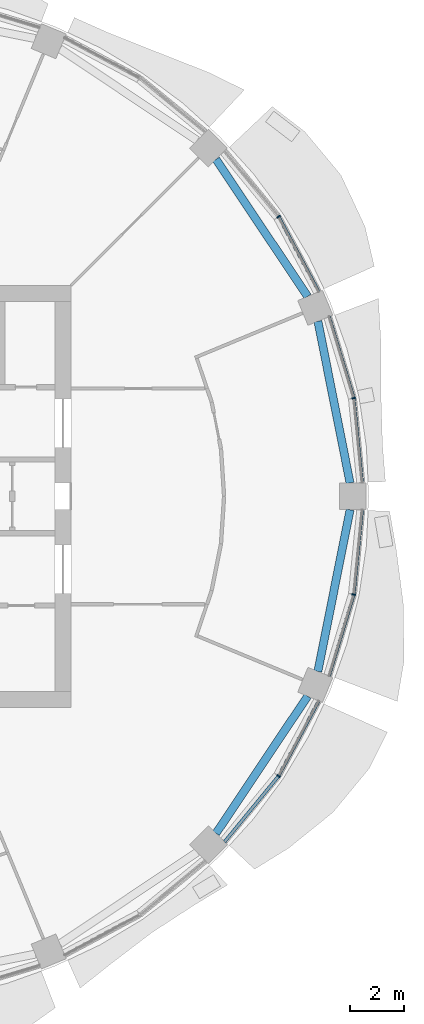
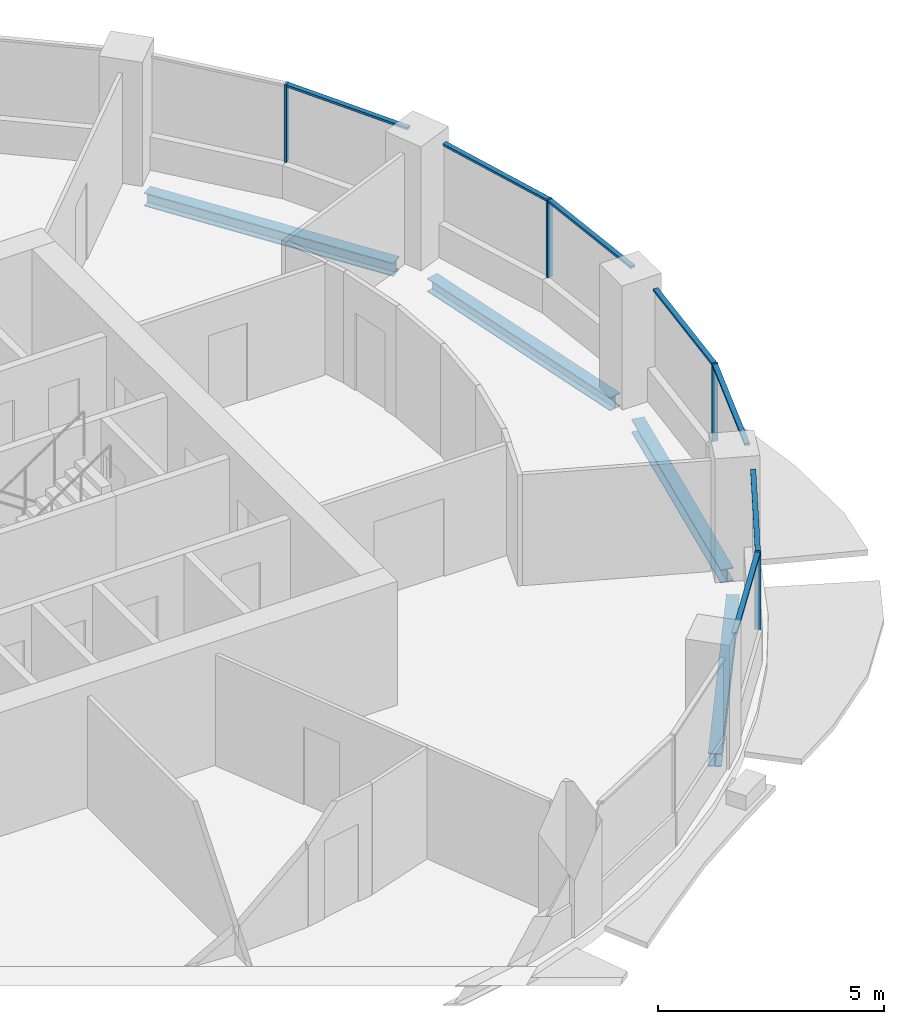
# One storey, part 5 of 15: 11 members, 4 beams, 4 elements without a shape of their own.
"""IFC4 building model written with IfcOpenShell, lengths in metres."""

from ifc_helpers import new_model, si_unit, direction, frame, origin, origin_2d, place, context, subcontext, project, spatial, rectangle, i_section, extrude, material, material_profile, profile_set, type_object, element, aggregate, save


model = new_model("IFC4")

# Units and contexts
model_context = context("Model", 3, precision=1e-05, world=origin(), true_north=direction((0.0, 1.0)))
body_context = subcontext(model_context, "Body", "Model", "MODEL_VIEW")
ifc_project = project(units=[si_unit("LENGTHUNIT", "METRE"), si_unit("AREAUNIT", "SQUARE_METRE"), si_unit("VOLUMEUNIT", "CUBIC_METRE"), si_unit("PLANEANGLEUNIT", "RADIAN"), si_unit("MASSUNIT", "GRAM", prefix="KILO")], contexts=[model_context])

# Site, building, storey
site_placement = place(None, origin())
site = spatial("IfcSite", under=ifc_project, at=site_placement, CompositionType="ELEMENT")
building_placement = place(site_placement, origin())
building = spatial("IfcBuilding", under=site, at=building_placement, Name="Polderwave Tower", CompositionType="ELEMENT")
storey_placement = place(building_placement, frame((0.0, 0.0, 137.699951171875)))
storey = spatial("IfcBuildingStorey", under=building, at=storey_placement, Name="L36", CompositionType="ELEMENT", Elevation=137.699951171875)

# Curtain wall, member
ifc_material_1 = material(Name="Aluminium 6063-T6 and glass", Category="aluminium")
curtain_wall_type = type_object("IfcCurtainWallType", Name="Office ribbon glazing wall", PredefinedType="NOTDEFINED", material=ifc_material_1)
curtain_wall_1_placement = place(storey_placement, origin())
curtain_wall_1 = element("IfcCurtainWall", 1, at=curtain_wall_1_placement, inside=storey, type_object=curtain_wall_type, Name="CW3 L36 00", PredefinedType="NOTDEFINED")
ifc_material_2 = material(Name="Aluminium 6063-T6", Category="aluminium")
ifc_material_profile_1 = material_profile(ifc_material_2, rectangle(XDim=0.139892578125, YDim=0.054931640625, at=origin_2d()), Name="AL 55x140")
ifc_profile_set_1 = profile_set([ifc_material_profile_1], Name="Aluminium 6063-T6")
member_type_1 = type_object("IfcMemberType", Name="Office ribbon glazing mullion 55x140", PredefinedType="MULLION", material=ifc_profile_set_1)
member_1_placement = place(storey_placement, frame((18.4189453125, 3.6640625, 0.900146484375), z_axis=(0.0, 0.0, 1.0), x_axis=(-0.980767570528, -0.195179334461, 0.0)))
member_1 = element("IfcMember", 2, at=member_1_placement, type_object=member_type_1, Name="CW3 mullion 1", PredefinedType="MULLION", context=body_context, shape_type="SweptSolid", body=[
    extrude(rectangle(XDim=0.139892578125, YDim=0.054931640625, at=origin_2d()), origin(), (0.0, 0.0, 1.0), 2.099853515625),
])

curtain_wall_2_placement = place(storey_placement, origin())
curtain_wall_2 = element("IfcCurtainWall", 3, at=curtain_wall_2_placement, inside=storey, type_object=curtain_wall_type, Name="CW3 L36 01", PredefinedType="NOTDEFINED")
member_2_placement = place(storey_placement, frame((15.614990234375, 10.43408203125, 0.900146484375), z_axis=(0.0, 0.0, 1.0), x_axis=(-0.831411428565, -0.555657301267, 0.0)))
member_2 = element("IfcMember", 4, at=member_2_placement, type_object=member_type_1, Name="CW3 mullion 1", PredefinedType="MULLION", context=body_context, shape_type="SweptSolid", body=[
    extrude(rectangle(XDim=0.139892578125, YDim=0.054931640625, at=origin_2d()), origin(), (0.0, 0.0, 1.0), 2.099853515625),
])

curtain_wall_3_placement = place(storey_placement, origin())
curtain_wall_3 = element("IfcCurtainWall", 5, at=curtain_wall_3_placement, inside=storey, type_object=curtain_wall_type, Name="CW3 L36 14", PredefinedType="NOTDEFINED")
member_3_placement = place(storey_placement, frame((15.614990234375, -10.43408203125, 0.900146484375), z_axis=(0.0, 0.0, 1.0), x_axis=(-0.831411428565, 0.555657301267, 0.0)))
member_3 = element("IfcMember", 6, at=member_3_placement, type_object=member_type_1, Name="CW3 mullion 1", PredefinedType="MULLION", context=body_context, shape_type="SweptSolid", body=[
    extrude(rectangle(XDim=0.139892578125, YDim=0.054931640625, at=origin_2d()), origin(), (0.0, 0.0, 1.0), 2.099853515625),
])

curtain_wall_4_placement = place(storey_placement, origin())
curtain_wall_4 = element("IfcCurtainWall", 7, at=curtain_wall_4_placement, inside=storey, type_object=curtain_wall_type, Name="CW3 L36 15", PredefinedType="NOTDEFINED")
member_4_placement = place(storey_placement, frame((18.4189453125, -3.6640625, 0.900146484375), z_axis=(0.0, 0.0, 1.0), x_axis=(-0.980767570528, 0.195179334461, 0.0)))
member_4 = element("IfcMember", 8, at=member_4_placement, type_object=member_type_1, Name="CW3 mullion 1", PredefinedType="MULLION", context=body_context, shape_type="SweptSolid", body=[
    extrude(rectangle(XDim=0.139892578125, YDim=0.054931640625, at=origin_2d()), origin(), (0.0, 0.0, 1.0), 2.099853515625),
])

# Member
ifc_material_profile_2 = material_profile(ifc_material_2, rectangle(XDim=0.1201171875, YDim=0.06005859375, at=origin_2d()), Name="AL 60x120")
ifc_profile_set_2 = profile_set([ifc_material_profile_2], Name="Aluminium 6063-T6")
member_type_2 = type_object("IfcMemberType", Name="Office ribbon glazing transom 60x120", PredefinedType="USERDEFINED", material=ifc_profile_set_2)
member_5_placement = place(storey_placement, frame((18.73095703125, 0.5, 2.969970703125), z_axis=(-0.09813853445, 0.995172762919, 0.0), x_axis=(-0.995172762919, -0.09813853445, 0.0)))
member_5 = element("IfcMember", 9, at=member_5_placement, type_object=member_type_2, Name="CW3 transom 1", ObjectType="TRANSOM", PredefinedType="USERDEFINED", context=body_context, shape_type="SweptSolid", body=[
    extrude(rectangle(XDim=0.1201171875, YDim=0.06005859375, at=origin_2d()), origin(), (0.0, 0.0, 1.0), 3.15185546875),
])

member_6_placement = place(storey_placement, frame((18.410888671875, 3.690185546875, 2.969970703125), z_axis=(-0.290267539602, 0.956945534215, 0.0), x_axis=(-0.956945534215, -0.290267539602, 0.0)))
member_6 = element("IfcMember", 10, at=member_6_placement, type_object=member_type_2, Name="CW3 transom 2", ObjectType="TRANSOM", PredefinedType="USERDEFINED", context=body_context, shape_type="SweptSolid", body=[
    extrude(rectangle(XDim=0.1201171875, YDim=0.06005859375, at=origin_2d()), origin(), (0.0, 0.0, 1.0), 3.151611328125),
])

aggregate(curtain_wall_1, [member_1, member_5, member_6])

member_7_placement = place(storey_placement, frame((17.114013671875, 7.6298828125, 2.969970703125), z_axis=(-0.471460363877, 0.88188725203, 0.0), x_axis=(-0.88188725203, -0.471460363877, 0.0)))
member_7 = element("IfcMember", 11, at=member_7_placement, type_object=member_type_2, Name="CW3 transom 1", ObjectType="TRANSOM", PredefinedType="USERDEFINED", context=body_context, shape_type="SweptSolid", body=[
    extrude(rectangle(XDim=0.1201171875, YDim=0.06005859375, at=origin_2d()), origin(), (0.0, 0.0, 1.0), 3.152099609375),
])

aggregate(curtain_wall_2, [member_2, member_7])

member_8_placement = place(storey_placement, frame((13.597900390625, -12.89111328125, 2.969970703125), z_axis=(0.634536204131, 0.772893139863, 0.0), x_axis=(-0.772893139863, 0.634536204131, 0.0)))
member_8 = element("IfcMember", 12, at=member_8_placement, type_object=member_type_2, Name="CW3 transom 1", ObjectType="TRANSOM", PredefinedType="USERDEFINED", context=body_context, shape_type="SweptSolid", body=[
    extrude(rectangle(XDim=0.1201171875, YDim=0.06005859375, at=origin_2d()), origin(), (0.0, 0.0, 1.0), 3.151611328125),
])

member_9_placement = place(storey_placement, frame((15.6279296875, -10.40966796875, 2.969970703125), z_axis=(0.471460363877, 0.88188725203, 0.0), x_axis=(-0.88188725203, 0.471460363877, 0.0)))
member_9 = element("IfcMember", 13, at=member_9_placement, type_object=member_type_2, Name="CW3 transom 2", ObjectType="TRANSOM", PredefinedType="USERDEFINED", context=body_context, shape_type="SweptSolid", body=[
    extrude(rectangle(XDim=0.1201171875, YDim=0.06005859375, at=origin_2d()), origin(), (0.0, 0.0, 1.0), 3.152099609375),
])

aggregate(curtain_wall_3, [member_3, member_8, member_9])

member_10_placement = place(storey_placement, frame((17.49609375, -6.7060546875, 2.969970703125), z_axis=(0.290267539602, 0.956945534215, 0.0), x_axis=(-0.956945534215, 0.290267539602, 0.0)))
member_10 = element("IfcMember", 14, at=member_10_placement, type_object=member_type_2, Name="CW3 transom 1", ObjectType="TRANSOM", PredefinedType="USERDEFINED", context=body_context, shape_type="SweptSolid", body=[
    extrude(rectangle(XDim=0.1201171875, YDim=0.06005859375, at=origin_2d()), origin(), (0.0, 0.0, 1.0), 3.151611328125),
])

member_11_placement = place(storey_placement, frame((18.421630859375, -3.63671875, 2.969970703125), z_axis=(0.09813853445, 0.995172762919, 0.0), x_axis=(-0.995172762919, 0.09813853445, 0.0)))
member_11 = element("IfcMember", 15, at=member_11_placement, type_object=member_type_2, Name="CW3 transom 2", ObjectType="TRANSOM", PredefinedType="USERDEFINED", context=body_context, shape_type="SweptSolid", body=[
    extrude(rectangle(XDim=0.1201171875, YDim=0.06005859375, at=origin_2d()), origin(), (0.0, 0.0, 1.0), 3.15185546875),
])

aggregate(curtain_wall_4, [member_4, member_10, member_11])

# Beams
ifc_material_3 = material(Name="Steel S355", Category="steel")
ifc_material_profile_3 = material_profile(ifc_material_3, i_section(OverallWidth=0.300048828125, OverallDepth=0.360107421875, WebThickness=0.012451171875, FlangeThickness=0.0224609375, at=origin_2d()), Name="HE 360 B")
ifc_profile_set_3 = profile_set([ifc_material_profile_3], Name="Steel S355")
beam_type = type_object("IfcBeamType", Name="RING BEAM HE 360 B", PredefinedType="BEAM", material=ifc_profile_set_3)
beam_1_placement = place(storey_placement, frame((18.280517578125, 0.5, -0.530029296875), z_axis=(-0.195093366566, 0.9807846748, 0.0), x_axis=(-0.9807846748, -0.195093366566, 0.0)))
element("IfcBeam", 16, at=beam_1_placement, inside=storey, type_object=beam_type, Name="ST-RB-L36-00", PredefinedType="BEAM", context=body_context, shape_type="SweptSolid", body=[
    extrude(i_section(OverallWidth=0.300048828125, OverallDepth=0.360107421875, WebThickness=0.012451171875, FlangeThickness=0.0224609375, at=origin_2d()), origin(), (0.0, 0.0, 1.0), 6.15185546875),
])
for number, where, z_axis, x_axis, name in (
    (17, (16.69775390625, 7.45751953125, -0.530029296875), (-0.555579044629, 0.831463724506, 0.0), (-0.831463724506, -0.555579044629, 0.0), "ST-RB-L36-01"),
    (18, (13.27978515625, -12.57275390625, -0.530029296875), (0.555579044629, 0.831463724506, 0.0), (-0.831463724506, 0.555579044629, 0.0), "ST-RB-L36-14"),
):
    element("IfcBeam", number, at=place(storey_placement, frame(where, z_axis=z_axis, x_axis=x_axis)), inside=storey, type_object=beam_type, Name=name, PredefinedType="BEAM", context=body_context, shape_type="SweptSolid", body=[
        extrude(i_section(OverallWidth=0.300048828125, OverallDepth=0.360107421875, WebThickness=0.012451171875, FlangeThickness=0.0224609375, at=origin_2d()), origin(), (0.0, 0.0, 1.0), 6.152099609375),
    ])
beam_2_placement = place(storey_placement, frame((17.080322265625, -6.53369140625, -0.530029296875), z_axis=(0.195093366566, 0.9807846748, 0.0), x_axis=(-0.9807846748, 0.195093366566, 0.0)))
element("IfcBeam", 19, at=beam_2_placement, inside=storey, type_object=beam_type, Name="ST-RB-L36-15", PredefinedType="BEAM", context=body_context, shape_type="SweptSolid", body=[
    extrude(i_section(OverallWidth=0.300048828125, OverallDepth=0.360107421875, WebThickness=0.012451171875, FlangeThickness=0.0224609375, at=origin_2d()), origin(), (0.0, 0.0, 1.0), 6.15185546875),
])

save(model, "model.ifc")
